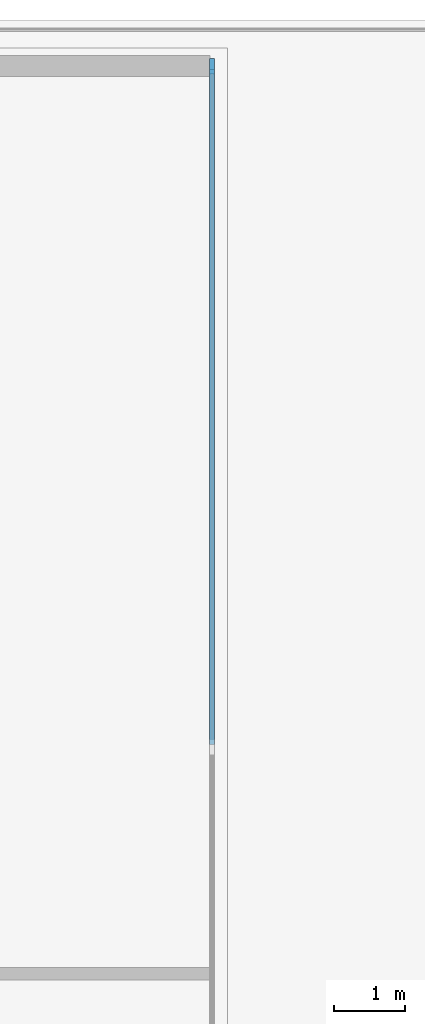
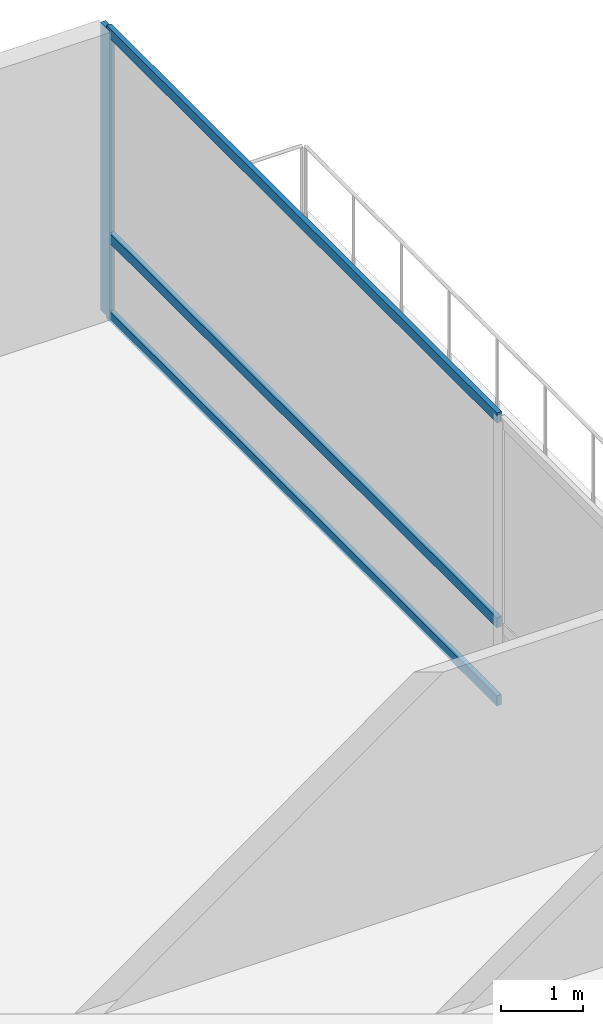
# One storey, part 7 of 24: 4 members, 1 element without a shape of its own.
"""IFC4 building model written with IfcOpenShell, lengths in metres."""

from ifc_helpers import new_model, si_unit, direction, frame, origin, origin_2d, place, context, subcontext, project, spatial, rectangle, extrude, material, layer, layer_set, material_profile, profile_set, type_object, element, aggregate, save


model = new_model("IFC4")

# Units and contexts
model_context = context("Model", 3, precision=1e-05, world=origin(), true_north=direction((0.0, 1.0)))
body_context = subcontext(model_context, "Body", "Model", "MODEL_VIEW")
ifc_project = project(units=[si_unit("LENGTHUNIT", "METRE"), si_unit("AREAUNIT", "SQUARE_METRE"), si_unit("VOLUMEUNIT", "CUBIC_METRE"), si_unit("PLANEANGLEUNIT", "RADIAN"), si_unit("MASSUNIT", "GRAM", prefix="KILO")], contexts=[model_context])

# Site, building, storey
site_placement = place(None, origin())
site = spatial("IfcSite", under=ifc_project, at=site_placement, CompositionType="ELEMENT")
building_placement = place(site_placement, origin())
building = spatial("IfcBuilding", under=site, at=building_placement, Name="Qalmaran Belvedere Hotel", CompositionType="ELEMENT")
storey_placement = place(building_placement, frame((0.0, 0.0, 14.60009765625)))
storey = spatial("IfcBuildingStorey", under=building, at=storey_placement, Name="L03", CompositionType="ELEMENT", Elevation=14.60009765625)

# Curtain wall, members
ifc_material = material(Name="Anodised Bronze Aluminium", Category="aluminium")
ifc_layer = layer(ifc_material, 0.219970703125, Name="Anodised Bronze Aluminium")
ifc_layer_set = layer_set([ifc_layer], Name="Anodised Bronze Aluminium")
curtain_wall_type = type_object("IfcCurtainWallType", Name="CW1-PODIUM-BRONZE", PredefinedType="NOTDEFINED", material=ifc_layer_set)
curtain_wall_placement = place(storey_placement, origin())
curtain_wall = element("IfcCurtainWall", 1, at=curtain_wall_placement, inside=storey, type_object=curtain_wall_type, Name="L03 Curtain Wall CW1", PredefinedType="NOTDEFINED")
ifc_material_profile_1 = material_profile(ifc_material, rectangle(XDim=0.074951171875, YDim=0.219970703125, at=origin_2d()), Name="CWM75X220")
ifc_profile_set_1 = profile_set([ifc_material_profile_1], Name="Anodised Bronze Aluminium")
member_type_1 = type_object("IfcMemberType", Name="CWM-75X220", PredefinedType="MULLION", material=ifc_profile_set_1)
member_1_placement = place(storey_placement, frame((69.780029296875, 49.54248046875, 0.0), z_axis=(0.0, 0.0, 1.0), x_axis=(-1.0, 0.0, 0.0)))
member_1 = element("IfcMember", 2, at=member_1_placement, type_object=member_type_1, Name="CW1 mullion 6", PredefinedType="MULLION", context=body_context, shape_type="SweptSolid", body=[
    extrude(rectangle(XDim=0.074951171875, YDim=0.219970703125, at=origin_2d()), origin(), (0.0, 0.0, 1.0), 4.2998046875),
])
ifc_material_profile_2 = material_profile(ifc_material, rectangle(XDim=0.070068359375, YDim=0.14990234375, at=origin_2d()), Name="CWT70X150")
ifc_profile_set_2 = profile_set([ifc_material_profile_2], Name="Anodised Bronze Aluminium")
member_type_2 = type_object("IfcMemberType", Name="CWT-70X150", PredefinedType="USERDEFINED", material=ifc_profile_set_2)
member_2_placement = place(storey_placement, frame((69.780029296875, 39.945556640625, 0.034912109375), z_axis=(0.0, 1.0, 0.0), x_axis=(-1.0, 0.0, 0.0)))
member_2 = element("IfcMember", 3, at=member_2_placement, type_object=member_type_2, Name="CW1 transom 5.1", ObjectType="TRANSOM", PredefinedType="USERDEFINED", context=body_context, shape_type="SweptSolid", body=[
    extrude(rectangle(XDim=0.070068359375, YDim=0.14990234375, at=origin_2d()), origin(), (0.0, 0.0, 1.0), 9.559326171875),
])
member_3_placement = place(storey_placement, frame((69.780029296875, 39.945556640625, 1.203857421875), z_axis=(0.0, 1.0, 0.0), x_axis=(-1.0, 0.0, 0.0)))
member_3 = element("IfcMember", 4, at=member_3_placement, type_object=member_type_2, Name="CW1 transom 5.2", ObjectType="TRANSOM", PredefinedType="USERDEFINED", context=body_context, shape_type="SweptSolid", body=[
    extrude(rectangle(XDim=0.070068359375, YDim=0.14990234375, at=origin_2d()), origin(), (0.0, 0.0, 1.0), 9.559326171875),
])
member_4_placement = place(storey_placement, frame((69.780029296875, 39.945556640625, 4.264892578125), z_axis=(0.0, 1.0, 0.0), x_axis=(-1.0, 0.0, 0.0)))
member_4 = element("IfcMember", 5, at=member_4_placement, type_object=member_type_2, Name="CW1 transom 5.3", ObjectType="TRANSOM", PredefinedType="USERDEFINED", context=body_context, shape_type="SweptSolid", body=[
    extrude(rectangle(XDim=0.070068359375, YDim=0.14990234375, at=origin_2d()), origin(), (0.0, 0.0, 1.0), 9.559326171875),
])
aggregate(curtain_wall, [member_1, member_2, member_3, member_4])

save(model, "model.ifc")
